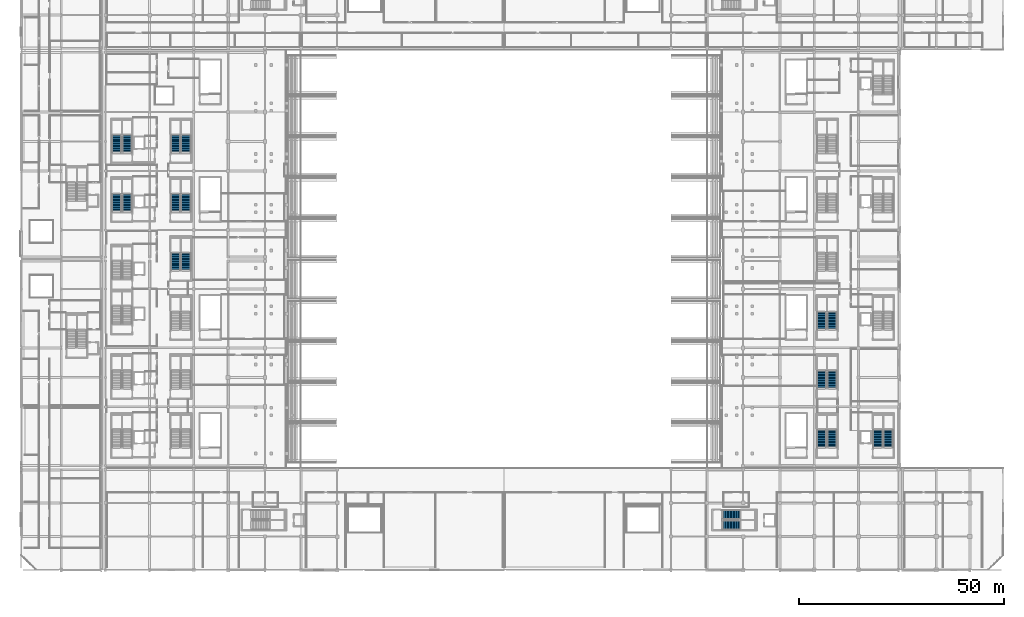
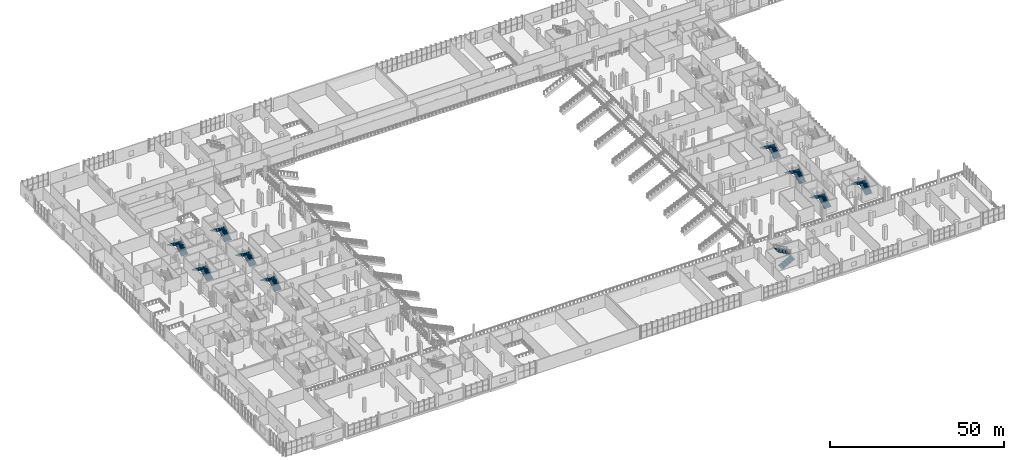
# One storey, part 90 of 129: 20 stair flights, 10 elements without a shape of their own.
"""IFC4 building model written with IfcOpenShell, lengths in metres."""

from ifc_helpers import new_model, si_unit, direction, frame, origin, place, context, subcontext, project, spatial, polyline, outline, extrude, material, type_object, element, aggregate, save


model = new_model("IFC4")

# Units and contexts
model_context = context("Model", 3, precision=1e-05, world=origin(), true_north=direction((0.0, 1.0)))
body_context = subcontext(model_context, "Body", "Model", "MODEL_VIEW")
ifc_project = project(units=[si_unit("LENGTHUNIT", "METRE"), si_unit("AREAUNIT", "SQUARE_METRE"), si_unit("VOLUMEUNIT", "CUBIC_METRE"), si_unit("PLANEANGLEUNIT", "RADIAN"), si_unit("MASSUNIT", "GRAM", prefix="KILO")], contexts=[model_context])

# Site, building, storey
site_placement = place(None, origin())
site = spatial("IfcSite", under=ifc_project, at=site_placement, CompositionType="ELEMENT")
building_placement = place(site_placement, origin())
building = spatial("IfcBuilding", under=site, at=building_placement, Name="Koshinbarg Plaza Stadium", CompositionType="ELEMENT")
storey_placement = place(building_placement, frame((0.0, 0.0, 5.39990234375)))
storey = spatial("IfcBuildingStorey", under=building, at=storey_placement, Name="L01", CompositionType="ELEMENT", Elevation=5.39990234375)

# Stair, stair flights
ifc_material = material(Name="Concrete C35/45", Category="concrete")
stair_type_1 = type_object("IfcStairType", Name="ST-CORE-48", PredefinedType="HALF_TURN_STAIR", material=ifc_material)
stair_1_placement = place(storey_placement, origin())
stair_1 = element("IfcStair", 1, at=stair_1_placement, inside=storey, type_object=stair_type_1, Name="L01 Protected Exit Stair C05", PredefinedType="HALF_TURN_STAIR")
stair_flight_type = type_object("IfcStairFlightType", Name="SFL-CORE-48", PredefinedType="STRAIGHT", material=ifc_material)
stair_flight_1_placement = place(storey_placement, frame((29.889892578125, 87.56005859375, 0.0), z_axis=(0.0, 0.0, 1.0), x_axis=(0.0, 1.0, 0.0)))
stair_flight_1 = element("IfcStairFlight", 2, at=stair_flight_1_placement, type_object=stair_flight_type, Name="L01 Protected Exit Stair C05 flight 051", NumberOfRisers=15, NumberOfTreads=14, PredefinedType="STRAIGHT", RiserHeight=0.16, TreadLength=0.3, context=body_context, shape_type="SweptSolid", body=[
    extrude(outline(polyline([(0.0, 0.0), (0.0, 0.159912109375), (0.300048828125, 0.159912109375), (0.300048828125, 0.320068359375), (0.60009765625, 0.320068359375), (0.60009765625, 0.47998046875), (0.89990234375, 0.47998046875), (0.89990234375, 0.639892578125), (1.199951171875, 0.639892578125), (1.199951171875, 0.800048828125), (1.5, 0.800048828125), (1.5, 0.9599609375), (1.800048828125, 0.9599609375), (1.800048828125, 1.1201171875), (2.10009765625, 1.1201171875), (2.10009765625, 1.280029296875), (2.39990234375, 1.280029296875), (2.39990234375, 1.43994140625), (2.699951171875, 1.43994140625), (2.699951171875, 1.60009765625), (3.0, 1.60009765625), (3.0, 1.760009765625), (3.300048828125, 1.760009765625), (3.300048828125, 1.919921875), (3.60009765625, 1.919921875), (3.60009765625, 2.080078125), (3.89990234375, 2.080078125), (3.89990234375, 2.239990234375), (4.199951171875, 2.239990234375), (4.199951171875, 2.39990234375), (4.199951171875, 2.070068359375), (0.318603515625, 0.0), (0.0, 0.0)])), frame((0.0, 1.18017578125, 0.0), z_axis=(0.0, -1.0, 0.0), x_axis=(1.0, 0.0, 0.0)), (0.0, 0.0, 1.0), 2.360107421875),
])
stair_flight_2_placement = place(storey_placement, frame((27.3798828125, 91.760009765625, 2.400146484375), z_axis=(0.0, 0.0, 1.0), x_axis=(0.0, -1.0, 0.0)))
stair_flight_2 = element("IfcStairFlight", 3, at=stair_flight_2_placement, type_object=stair_flight_type, Name="L01 Protected Exit Stair C05 flight 052", NumberOfRisers=15, NumberOfTreads=14, PredefinedType="STRAIGHT", RiserHeight=0.16, TreadLength=0.3, context=body_context, shape_type="SweptSolid", body=[
    extrude(outline(polyline([(0.0, 0.0), (0.0, 0.159912109375), (0.300048828125, 0.159912109375), (0.300048828125, 0.320068359375), (0.60009765625, 0.320068359375), (0.60009765625, 0.47998046875), (0.89990234375, 0.47998046875), (0.89990234375, 0.639892578125), (1.199951171875, 0.639892578125), (1.199951171875, 0.800048828125), (1.5, 0.800048828125), (1.5, 0.9599609375), (1.800048828125, 0.9599609375), (1.800048828125, 1.1201171875), (2.10009765625, 1.1201171875), (2.10009765625, 1.280029296875), (2.39990234375, 1.280029296875), (2.39990234375, 1.43994140625), (2.699951171875, 1.43994140625), (2.699951171875, 1.60009765625), (3.0, 1.60009765625), (3.0, 1.760009765625), (3.300048828125, 1.760009765625), (3.300048828125, 1.919921875), (3.60009765625, 1.919921875), (3.60009765625, 2.080078125), (3.89990234375, 2.080078125), (3.89990234375, 2.239990234375), (4.199951171875, 2.239990234375), (4.199951171875, 2.39990234375), (4.199951171875, 2.070068359375), (0.318603515625, 0.0), (0.0, 0.0)])), frame((0.0, 1.18017578125, 0.0), z_axis=(0.0, -1.0, 0.0), x_axis=(1.0, 0.0, 0.0)), (0.0, 0.0, 1.0), 2.360107421875),
])
aggregate(stair_1, [stair_flight_1, stair_flight_2])

stair_2_placement = place(storey_placement, origin())
stair_2 = element("IfcStair", 4, at=stair_2_placement, inside=storey, type_object=stair_type_1, Name="L01 Protected Exit Stair C06", PredefinedType="HALF_TURN_STAIR")
stair_flight_3_placement = place(storey_placement, frame((29.889892578125, 101.9599609375, 0.0), z_axis=(0.0, 0.0, 1.0), x_axis=(0.0, 1.0, 0.0)))
stair_flight_3 = element("IfcStairFlight", 5, at=stair_flight_3_placement, type_object=stair_flight_type, Name="L01 Protected Exit Stair C06 flight 063", NumberOfRisers=15, NumberOfTreads=14, PredefinedType="STRAIGHT", RiserHeight=0.16, TreadLength=0.3, context=body_context, shape_type="SweptSolid", body=[
    extrude(outline(polyline([(0.0, 0.0), (0.0, 0.159912109375), (0.300048828125, 0.159912109375), (0.300048828125, 0.320068359375), (0.60009765625, 0.320068359375), (0.60009765625, 0.47998046875), (0.89990234375, 0.47998046875), (0.89990234375, 0.639892578125), (1.199951171875, 0.639892578125), (1.199951171875, 0.800048828125), (1.5, 0.800048828125), (1.5, 0.9599609375), (1.800048828125, 0.9599609375), (1.800048828125, 1.1201171875), (2.10009765625, 1.1201171875), (2.10009765625, 1.280029296875), (2.39990234375, 1.280029296875), (2.39990234375, 1.43994140625), (2.699951171875, 1.43994140625), (2.699951171875, 1.60009765625), (3.0, 1.60009765625), (3.0, 1.760009765625), (3.300048828125, 1.760009765625), (3.300048828125, 1.919921875), (3.60009765625, 1.919921875), (3.60009765625, 2.080078125), (3.89990234375, 2.080078125), (3.89990234375, 2.239990234375), (4.199951171875, 2.239990234375), (4.199951171875, 2.39990234375), (4.199951171875, 2.070068359375), (0.318603515625, 0.0), (0.0, 0.0)])), frame((0.0, 1.18017578125, 0.0), z_axis=(0.0, -1.0, 0.0), x_axis=(1.0, 0.0, 0.0)), (0.0, 0.0, 1.0), 2.360107421875),
])
stair_flight_4_placement = place(storey_placement, frame((27.3798828125, 106.159912109375, 2.400146484375), z_axis=(0.0, 0.0, 1.0), x_axis=(0.0, -1.0, 0.0)))
stair_flight_4 = element("IfcStairFlight", 6, at=stair_flight_4_placement, type_object=stair_flight_type, Name="L01 Protected Exit Stair C06 flight 064", NumberOfRisers=15, NumberOfTreads=14, PredefinedType="STRAIGHT", RiserHeight=0.16, TreadLength=0.3, context=body_context, shape_type="SweptSolid", body=[
    extrude(outline(polyline([(0.0, 0.0), (0.0, 0.159912109375), (0.300048828125, 0.159912109375), (0.300048828125, 0.320068359375), (0.60009765625, 0.320068359375), (0.60009765625, 0.47998046875), (0.89990234375, 0.47998046875), (0.89990234375, 0.639892578125), (1.199951171875, 0.639892578125), (1.199951171875, 0.800048828125), (1.5, 0.800048828125), (1.5, 0.9599609375), (1.800048828125, 0.9599609375), (1.800048828125, 1.1201171875), (2.10009765625, 1.1201171875), (2.10009765625, 1.280029296875), (2.39990234375, 1.280029296875), (2.39990234375, 1.43994140625), (2.699951171875, 1.43994140625), (2.699951171875, 1.60009765625), (3.0, 1.60009765625), (3.0, 1.760009765625), (3.300048828125, 1.760009765625), (3.300048828125, 1.919921875), (3.60009765625, 1.919921875), (3.60009765625, 2.080078125), (3.89990234375, 2.080078125), (3.89990234375, 2.239990234375), (4.199951171875, 2.239990234375), (4.199951171875, 2.39990234375), (4.199951171875, 2.070068359375), (0.318603515625, 0.0), (0.0, 0.0)])), frame((0.0, 1.18017578125, 0.0), z_axis=(0.0, -1.0, 0.0), x_axis=(1.0, 0.0, 0.0)), (0.0, 0.0, 1.0), 2.360107421875),
])
aggregate(stair_2, [stair_flight_3, stair_flight_4])

stair_3_placement = place(storey_placement, origin())
stair_3 = element("IfcStair", 7, at=stair_3_placement, inside=storey, type_object=stair_type_1, Name="L01 Protected Exit Stair C07", PredefinedType="HALF_TURN_STAIR")
stair_flight_5_placement = place(storey_placement, frame((215.889892578125, 29.9599609375, 0.0), z_axis=(0.0, 0.0, 1.0), x_axis=(0.0, 1.0, 0.0)))
stair_flight_5 = element("IfcStairFlight", 8, at=stair_flight_5_placement, type_object=stair_flight_type, Name="L01 Protected Exit Stair C07 flight 075", NumberOfRisers=15, NumberOfTreads=14, PredefinedType="STRAIGHT", RiserHeight=0.16, TreadLength=0.3, context=body_context, shape_type="SweptSolid", body=[
    extrude(outline(polyline([(0.0, 0.0), (0.0, 0.159912109375), (0.300048828125, 0.159912109375), (0.300048828125, 0.320068359375), (0.60009765625, 0.320068359375), (0.60009765625, 0.47998046875), (0.89990234375, 0.47998046875), (0.89990234375, 0.639892578125), (1.199951171875, 0.639892578125), (1.199951171875, 0.800048828125), (1.5, 0.800048828125), (1.5, 0.9599609375), (1.800048828125, 0.9599609375), (1.800048828125, 1.1201171875), (2.10009765625, 1.1201171875), (2.10009765625, 1.280029296875), (2.39990234375, 1.280029296875), (2.39990234375, 1.43994140625), (2.699951171875, 1.43994140625), (2.699951171875, 1.60009765625), (3.0, 1.60009765625), (3.0, 1.760009765625), (3.300048828125, 1.760009765625), (3.300048828125, 1.919921875), (3.60009765625, 1.919921875), (3.60009765625, 2.080078125), (3.89990234375, 2.080078125), (3.89990234375, 2.239990234375), (4.199951171875, 2.239990234375), (4.199951171875, 2.39990234375), (4.199951171875, 2.070068359375), (0.318603515625, 0.0), (0.0, 0.0)])), frame((0.0, 1.18017578125, 0.0), z_axis=(0.0, -1.0, 0.0), x_axis=(1.0, 0.0, 0.0)), (0.0, 0.0, 1.0), 2.360107421875),
])
stair_flight_6_placement = place(storey_placement, frame((213.3798828125, 34.159912109375, 2.400146484375), z_axis=(0.0, 0.0, 1.0), x_axis=(0.0, -1.0, 0.0)))
stair_flight_6 = element("IfcStairFlight", 9, at=stair_flight_6_placement, type_object=stair_flight_type, Name="L01 Protected Exit Stair C07 flight 076", NumberOfRisers=15, NumberOfTreads=14, PredefinedType="STRAIGHT", RiserHeight=0.16, TreadLength=0.3, context=body_context, shape_type="SweptSolid", body=[
    extrude(outline(polyline([(0.0, 0.0), (0.0, 0.159912109375), (0.300048828125, 0.159912109375), (0.300048828125, 0.320068359375), (0.60009765625, 0.320068359375), (0.60009765625, 0.47998046875), (0.89990234375, 0.47998046875), (0.89990234375, 0.639892578125), (1.199951171875, 0.639892578125), (1.199951171875, 0.800048828125), (1.5, 0.800048828125), (1.5, 0.9599609375), (1.800048828125, 0.9599609375), (1.800048828125, 1.1201171875), (2.10009765625, 1.1201171875), (2.10009765625, 1.280029296875), (2.39990234375, 1.280029296875), (2.39990234375, 1.43994140625), (2.699951171875, 1.43994140625), (2.699951171875, 1.60009765625), (3.0, 1.60009765625), (3.0, 1.760009765625), (3.300048828125, 1.760009765625), (3.300048828125, 1.919921875), (3.60009765625, 1.919921875), (3.60009765625, 2.080078125), (3.89990234375, 2.080078125), (3.89990234375, 2.239990234375), (4.199951171875, 2.239990234375), (4.199951171875, 2.39990234375), (4.199951171875, 2.070068359375), (0.318603515625, 0.0), (0.0, 0.0)])), frame((0.0, 1.18017578125, 0.0), z_axis=(0.0, -1.0, 0.0), x_axis=(1.0, 0.0, 0.0)), (0.0, 0.0, 1.0), 2.360107421875),
])
aggregate(stair_3, [stair_flight_5, stair_flight_6])

stair_4_placement = place(storey_placement, origin())
stair_4 = element("IfcStair", 10, at=stair_4_placement, inside=storey, type_object=stair_type_1, Name="L01 Protected Exit Stair C14", PredefinedType="HALF_TURN_STAIR")
stair_flight_7_placement = place(storey_placement, frame((175.360107421875, 10.97998046875, 0.0), z_axis=(0.0, 0.0, 1.0), x_axis=(1.0, 0.0, 0.0)))
stair_flight_7 = element("IfcStairFlight", 11, at=stair_flight_7_placement, type_object=stair_flight_type, Name="L01 Protected Exit Stair C14 flight 135", NumberOfRisers=15, NumberOfTreads=14, PredefinedType="STRAIGHT", RiserHeight=0.16, TreadLength=0.3, context=body_context, shape_type="SweptSolid", body=[
    extrude(outline(polyline([(0.0, 0.0), (0.0, 0.159912109375), (0.300048828125, 0.159912109375), (0.300048828125, 0.320068359375), (0.60009765625, 0.320068359375), (0.60009765625, 0.47998046875), (0.89990234375, 0.47998046875), (0.89990234375, 0.639892578125), (1.199951171875, 0.639892578125), (1.199951171875, 0.800048828125), (1.5, 0.800048828125), (1.5, 0.9599609375), (1.800048828125, 0.9599609375), (1.800048828125, 1.1201171875), (2.10009765625, 1.1201171875), (2.10009765625, 1.280029296875), (2.39990234375, 1.280029296875), (2.39990234375, 1.43994140625), (2.699951171875, 1.43994140625), (2.699951171875, 1.60009765625), (3.0, 1.60009765625), (3.0, 1.760009765625), (3.300048828125, 1.760009765625), (3.300048828125, 1.919921875), (3.60009765625, 1.919921875), (3.60009765625, 2.080078125), (3.89990234375, 2.080078125), (3.89990234375, 2.239990234375), (4.199951171875, 2.239990234375), (4.199951171875, 2.39990234375), (4.199951171875, 2.070068359375), (0.318603515625, 0.0), (0.0, 0.0)])), frame((0.0, 1.18017578125, 0.0), z_axis=(0.0, -1.0, 0.0), x_axis=(1.0, 0.0, 0.0)), (0.0, 0.0, 1.0), 2.360107421875),
])
stair_flight_8_placement = place(storey_placement, frame((179.56005859375, 13.489990234375, 2.400146484375), z_axis=(0.0, 0.0, 1.0), x_axis=(-1.0, 0.0, 0.0)))
stair_flight_8 = element("IfcStairFlight", 12, at=stair_flight_8_placement, type_object=stair_flight_type, Name="L01 Protected Exit Stair C14 flight 136", NumberOfRisers=15, NumberOfTreads=14, PredefinedType="STRAIGHT", RiserHeight=0.16, TreadLength=0.3, context=body_context, shape_type="SweptSolid", body=[
    extrude(outline(polyline([(0.0, 0.0), (0.0, 0.159912109375), (0.300048828125, 0.159912109375), (0.300048828125, 0.320068359375), (0.60009765625, 0.320068359375), (0.60009765625, 0.47998046875), (0.89990234375, 0.47998046875), (0.89990234375, 0.639892578125), (1.199951171875, 0.639892578125), (1.199951171875, 0.800048828125), (1.5, 0.800048828125), (1.5, 0.9599609375), (1.800048828125, 0.9599609375), (1.800048828125, 1.1201171875), (2.10009765625, 1.1201171875), (2.10009765625, 1.280029296875), (2.39990234375, 1.280029296875), (2.39990234375, 1.43994140625), (2.699951171875, 1.43994140625), (2.699951171875, 1.60009765625), (3.0, 1.60009765625), (3.0, 1.760009765625), (3.300048828125, 1.760009765625), (3.300048828125, 1.919921875), (3.60009765625, 1.919921875), (3.60009765625, 2.080078125), (3.89990234375, 2.080078125), (3.89990234375, 2.239990234375), (4.199951171875, 2.239990234375), (4.199951171875, 2.39990234375), (4.199951171875, 2.070068359375), (0.318603515625, 0.0), (0.0, 0.0)])), frame((0.0, 1.18017578125, 0.0), z_axis=(0.0, -1.0, 0.0), x_axis=(1.0, 0.0, 0.0)), (0.0, 0.0, 1.0), 2.360107421875),
])
aggregate(stair_4, [stair_flight_7, stair_flight_8])

stair_type_2 = type_object("IfcStairType", Name="ST-VOM-48", PredefinedType="HALF_TURN_STAIR", material=ifc_material)
stair_5_placement = place(storey_placement, origin())
stair_5 = element("IfcStair", 13, at=stair_5_placement, inside=storey, type_object=stair_type_2, Name="L01 Upper Vomitory Stair VX04", PredefinedType="HALF_TURN_STAIR")
stair_flight_9_placement = place(storey_placement, frame((44.2900390625, 73.159912109375, 0.0), z_axis=(0.0, 0.0, 1.0), x_axis=(0.0, 1.0, 0.0)))
stair_flight_9 = element("IfcStairFlight", 14, at=stair_flight_9_placement, type_object=stair_flight_type, Name="L01 Upper Vomitory Stair VX04 flight 169", NumberOfRisers=15, NumberOfTreads=14, PredefinedType="STRAIGHT", RiserHeight=0.16, TreadLength=0.3, context=body_context, shape_type="SweptSolid", body=[
    extrude(outline(polyline([(0.0, 0.0), (0.0, 0.159912109375), (0.300048828125, 0.159912109375), (0.300048828125, 0.320068359375), (0.60009765625, 0.320068359375), (0.60009765625, 0.47998046875), (0.89990234375, 0.47998046875), (0.89990234375, 0.639892578125), (1.199951171875, 0.639892578125), (1.199951171875, 0.800048828125), (1.5, 0.800048828125), (1.5, 0.9599609375), (1.800048828125, 0.9599609375), (1.800048828125, 1.1201171875), (2.10009765625, 1.1201171875), (2.10009765625, 1.280029296875), (2.39990234375, 1.280029296875), (2.39990234375, 1.43994140625), (2.699951171875, 1.43994140625), (2.699951171875, 1.60009765625), (3.0, 1.60009765625), (3.0, 1.760009765625), (3.300048828125, 1.760009765625), (3.300048828125, 1.919921875), (3.60009765625, 1.919921875), (3.60009765625, 2.080078125), (3.89990234375, 2.080078125), (3.89990234375, 2.239990234375), (4.199951171875, 2.239990234375), (4.199951171875, 2.39990234375), (4.199951171875, 2.070068359375), (0.318603515625, 0.0), (0.0, 0.0)])), frame((0.0, 1.18017578125, 0.0), z_axis=(0.0, -1.0, 0.0), x_axis=(1.0, 0.0, 0.0)), (0.0, 0.0, 1.0), 2.360107421875),
])
stair_flight_10_placement = place(storey_placement, frame((41.780029296875, 77.360107421875, 2.400146484375), z_axis=(0.0, 0.0, 1.0), x_axis=(0.0, -1.0, 0.0)))
stair_flight_10 = element("IfcStairFlight", 15, at=stair_flight_10_placement, type_object=stair_flight_type, Name="L01 Upper Vomitory Stair VX04 flight 170", NumberOfRisers=15, NumberOfTreads=14, PredefinedType="STRAIGHT", RiserHeight=0.16, TreadLength=0.3, context=body_context, shape_type="SweptSolid", body=[
    extrude(outline(polyline([(0.0, 0.0), (0.0, 0.159912109375), (0.300048828125, 0.159912109375), (0.300048828125, 0.320068359375), (0.60009765625, 0.320068359375), (0.60009765625, 0.47998046875), (0.89990234375, 0.47998046875), (0.89990234375, 0.639892578125), (1.199951171875, 0.639892578125), (1.199951171875, 0.800048828125), (1.5, 0.800048828125), (1.5, 0.9599609375), (1.800048828125, 0.9599609375), (1.800048828125, 1.1201171875), (2.10009765625, 1.1201171875), (2.10009765625, 1.280029296875), (2.39990234375, 1.280029296875), (2.39990234375, 1.43994140625), (2.699951171875, 1.43994140625), (2.699951171875, 1.60009765625), (3.0, 1.60009765625), (3.0, 1.760009765625), (3.300048828125, 1.760009765625), (3.300048828125, 1.919921875), (3.60009765625, 1.919921875), (3.60009765625, 2.080078125), (3.89990234375, 2.080078125), (3.89990234375, 2.239990234375), (4.199951171875, 2.239990234375), (4.199951171875, 2.39990234375), (4.199951171875, 2.070068359375), (0.318603515625, 0.0), (0.0, 0.0)])), frame((0.0, 1.18017578125, 0.0), z_axis=(0.0, -1.0, 0.0), x_axis=(1.0, 0.0, 0.0)), (0.0, 0.0, 1.0), 2.360107421875),
])
aggregate(stair_5, [stair_flight_9, stair_flight_10])

stair_6_placement = place(storey_placement, origin())
stair_6 = element("IfcStair", 16, at=stair_6_placement, inside=storey, type_object=stair_type_2, Name="L01 Upper Vomitory Stair VX05", PredefinedType="HALF_TURN_STAIR")
stair_flight_11_placement = place(storey_placement, frame((44.2900390625, 87.56005859375, 0.0), z_axis=(0.0, 0.0, 1.0), x_axis=(0.0, 1.0, 0.0)))
stair_flight_11 = element("IfcStairFlight", 17, at=stair_flight_11_placement, type_object=stair_flight_type, Name="L01 Upper Vomitory Stair VX05 flight 175", NumberOfRisers=15, NumberOfTreads=14, PredefinedType="STRAIGHT", RiserHeight=0.16, TreadLength=0.3, context=body_context, shape_type="SweptSolid", body=[
    extrude(outline(polyline([(0.0, 0.0), (0.0, 0.159912109375), (0.300048828125, 0.159912109375), (0.300048828125, 0.320068359375), (0.60009765625, 0.320068359375), (0.60009765625, 0.47998046875), (0.89990234375, 0.47998046875), (0.89990234375, 0.639892578125), (1.199951171875, 0.639892578125), (1.199951171875, 0.800048828125), (1.5, 0.800048828125), (1.5, 0.9599609375), (1.800048828125, 0.9599609375), (1.800048828125, 1.1201171875), (2.10009765625, 1.1201171875), (2.10009765625, 1.280029296875), (2.39990234375, 1.280029296875), (2.39990234375, 1.43994140625), (2.699951171875, 1.43994140625), (2.699951171875, 1.60009765625), (3.0, 1.60009765625), (3.0, 1.760009765625), (3.300048828125, 1.760009765625), (3.300048828125, 1.919921875), (3.60009765625, 1.919921875), (3.60009765625, 2.080078125), (3.89990234375, 2.080078125), (3.89990234375, 2.239990234375), (4.199951171875, 2.239990234375), (4.199951171875, 2.39990234375), (4.199951171875, 2.070068359375), (0.318603515625, 0.0), (0.0, 0.0)])), frame((0.0, 1.18017578125, 0.0), z_axis=(0.0, -1.0, 0.0), x_axis=(1.0, 0.0, 0.0)), (0.0, 0.0, 1.0), 2.360107421875),
])
stair_flight_12_placement = place(storey_placement, frame((41.780029296875, 91.760009765625, 2.400146484375), z_axis=(0.0, 0.0, 1.0), x_axis=(0.0, -1.0, 0.0)))
stair_flight_12 = element("IfcStairFlight", 18, at=stair_flight_12_placement, type_object=stair_flight_type, Name="L01 Upper Vomitory Stair VX05 flight 176", NumberOfRisers=15, NumberOfTreads=14, PredefinedType="STRAIGHT", RiserHeight=0.16, TreadLength=0.3, context=body_context, shape_type="SweptSolid", body=[
    extrude(outline(polyline([(0.0, 0.0), (0.0, 0.159912109375), (0.300048828125, 0.159912109375), (0.300048828125, 0.320068359375), (0.60009765625, 0.320068359375), (0.60009765625, 0.47998046875), (0.89990234375, 0.47998046875), (0.89990234375, 0.639892578125), (1.199951171875, 0.639892578125), (1.199951171875, 0.800048828125), (1.5, 0.800048828125), (1.5, 0.9599609375), (1.800048828125, 0.9599609375), (1.800048828125, 1.1201171875), (2.10009765625, 1.1201171875), (2.10009765625, 1.280029296875), (2.39990234375, 1.280029296875), (2.39990234375, 1.43994140625), (2.699951171875, 1.43994140625), (2.699951171875, 1.60009765625), (3.0, 1.60009765625), (3.0, 1.760009765625), (3.300048828125, 1.760009765625), (3.300048828125, 1.919921875), (3.60009765625, 1.919921875), (3.60009765625, 2.080078125), (3.89990234375, 2.080078125), (3.89990234375, 2.239990234375), (4.199951171875, 2.239990234375), (4.199951171875, 2.39990234375), (4.199951171875, 2.070068359375), (0.318603515625, 0.0), (0.0, 0.0)])), frame((0.0, 1.18017578125, 0.0), z_axis=(0.0, -1.0, 0.0), x_axis=(1.0, 0.0, 0.0)), (0.0, 0.0, 1.0), 2.360107421875),
])
aggregate(stair_6, [stair_flight_11, stair_flight_12])

stair_7_placement = place(storey_placement, origin())
stair_7 = element("IfcStair", 19, at=stair_7_placement, inside=storey, type_object=stair_type_2, Name="L01 Upper Vomitory Stair VX06", PredefinedType="HALF_TURN_STAIR")
stair_flight_13_placement = place(storey_placement, frame((44.2900390625, 101.9599609375, 0.0), z_axis=(0.0, 0.0, 1.0), x_axis=(0.0, 1.0, 0.0)))
stair_flight_13 = element("IfcStairFlight", 20, at=stair_flight_13_placement, type_object=stair_flight_type, Name="L01 Upper Vomitory Stair VX06 flight 181", NumberOfRisers=15, NumberOfTreads=14, PredefinedType="STRAIGHT", RiserHeight=0.16, TreadLength=0.3, context=body_context, shape_type="SweptSolid", body=[
    extrude(outline(polyline([(0.0, 0.0), (0.0, 0.159912109375), (0.300048828125, 0.159912109375), (0.300048828125, 0.320068359375), (0.60009765625, 0.320068359375), (0.60009765625, 0.47998046875), (0.89990234375, 0.47998046875), (0.89990234375, 0.639892578125), (1.199951171875, 0.639892578125), (1.199951171875, 0.800048828125), (1.5, 0.800048828125), (1.5, 0.9599609375), (1.800048828125, 0.9599609375), (1.800048828125, 1.1201171875), (2.10009765625, 1.1201171875), (2.10009765625, 1.280029296875), (2.39990234375, 1.280029296875), (2.39990234375, 1.43994140625), (2.699951171875, 1.43994140625), (2.699951171875, 1.60009765625), (3.0, 1.60009765625), (3.0, 1.760009765625), (3.300048828125, 1.760009765625), (3.300048828125, 1.919921875), (3.60009765625, 1.919921875), (3.60009765625, 2.080078125), (3.89990234375, 2.080078125), (3.89990234375, 2.239990234375), (4.199951171875, 2.239990234375), (4.199951171875, 2.39990234375), (4.199951171875, 2.070068359375), (0.318603515625, 0.0), (0.0, 0.0)])), frame((0.0, 1.18017578125, 0.0), z_axis=(0.0, -1.0, 0.0), x_axis=(1.0, 0.0, 0.0)), (0.0, 0.0, 1.0), 2.360107421875),
])
stair_flight_14_placement = place(storey_placement, frame((41.780029296875, 106.159912109375, 2.400146484375), z_axis=(0.0, 0.0, 1.0), x_axis=(0.0, -1.0, 0.0)))
stair_flight_14 = element("IfcStairFlight", 21, at=stair_flight_14_placement, type_object=stair_flight_type, Name="L01 Upper Vomitory Stair VX06 flight 182", NumberOfRisers=15, NumberOfTreads=14, PredefinedType="STRAIGHT", RiserHeight=0.16, TreadLength=0.3, context=body_context, shape_type="SweptSolid", body=[
    extrude(outline(polyline([(0.0, 0.0), (0.0, 0.159912109375), (0.300048828125, 0.159912109375), (0.300048828125, 0.320068359375), (0.60009765625, 0.320068359375), (0.60009765625, 0.47998046875), (0.89990234375, 0.47998046875), (0.89990234375, 0.639892578125), (1.199951171875, 0.639892578125), (1.199951171875, 0.800048828125), (1.5, 0.800048828125), (1.5, 0.9599609375), (1.800048828125, 0.9599609375), (1.800048828125, 1.1201171875), (2.10009765625, 1.1201171875), (2.10009765625, 1.280029296875), (2.39990234375, 1.280029296875), (2.39990234375, 1.43994140625), (2.699951171875, 1.43994140625), (2.699951171875, 1.60009765625), (3.0, 1.60009765625), (3.0, 1.760009765625), (3.300048828125, 1.760009765625), (3.300048828125, 1.919921875), (3.60009765625, 1.919921875), (3.60009765625, 2.080078125), (3.89990234375, 2.080078125), (3.89990234375, 2.239990234375), (4.199951171875, 2.239990234375), (4.199951171875, 2.39990234375), (4.199951171875, 2.070068359375), (0.318603515625, 0.0), (0.0, 0.0)])), frame((0.0, 1.18017578125, 0.0), z_axis=(0.0, -1.0, 0.0), x_axis=(1.0, 0.0, 0.0)), (0.0, 0.0, 1.0), 2.360107421875),
])
aggregate(stair_7, [stair_flight_13, stair_flight_14])

stair_8_placement = place(storey_placement, origin())
stair_8 = element("IfcStair", 22, at=stair_8_placement, inside=storey, type_object=stair_type_2, Name="L01 Upper Vomitory Stair VX07", PredefinedType="HALF_TURN_STAIR")
stair_flight_15_placement = place(storey_placement, frame((202.18994140625, 29.9599609375, 0.0), z_axis=(0.0, 0.0, 1.0), x_axis=(0.0, 1.0, 0.0)))
stair_flight_15 = element("IfcStairFlight", 23, at=stair_flight_15_placement, type_object=stair_flight_type, Name="L01 Upper Vomitory Stair VX07 flight 187", NumberOfRisers=15, NumberOfTreads=14, PredefinedType="STRAIGHT", RiserHeight=0.16, TreadLength=0.3, context=body_context, shape_type="SweptSolid", body=[
    extrude(outline(polyline([(0.0, 0.0), (0.0, 0.159912109375), (0.300048828125, 0.159912109375), (0.300048828125, 0.320068359375), (0.60009765625, 0.320068359375), (0.60009765625, 0.47998046875), (0.89990234375, 0.47998046875), (0.89990234375, 0.639892578125), (1.199951171875, 0.639892578125), (1.199951171875, 0.800048828125), (1.5, 0.800048828125), (1.5, 0.9599609375), (1.800048828125, 0.9599609375), (1.800048828125, 1.1201171875), (2.10009765625, 1.1201171875), (2.10009765625, 1.280029296875), (2.39990234375, 1.280029296875), (2.39990234375, 1.43994140625), (2.699951171875, 1.43994140625), (2.699951171875, 1.60009765625), (3.0, 1.60009765625), (3.0, 1.760009765625), (3.300048828125, 1.760009765625), (3.300048828125, 1.919921875), (3.60009765625, 1.919921875), (3.60009765625, 2.080078125), (3.89990234375, 2.080078125), (3.89990234375, 2.239990234375), (4.199951171875, 2.239990234375), (4.199951171875, 2.39990234375), (4.199951171875, 2.070068359375), (0.318603515625, 0.0), (0.0, 0.0)])), frame((0.0, 1.18017578125, 0.0), z_axis=(0.0, -1.0, 0.0), x_axis=(1.0, 0.0, 0.0)), (0.0, 0.0, 1.0), 2.360107421875),
])
stair_flight_16_placement = place(storey_placement, frame((199.679931640625, 34.159912109375, 2.400146484375), z_axis=(0.0, 0.0, 1.0), x_axis=(0.0, -1.0, 0.0)))
stair_flight_16 = element("IfcStairFlight", 24, at=stair_flight_16_placement, type_object=stair_flight_type, Name="L01 Upper Vomitory Stair VX07 flight 188", NumberOfRisers=15, NumberOfTreads=14, PredefinedType="STRAIGHT", RiserHeight=0.16, TreadLength=0.3, context=body_context, shape_type="SweptSolid", body=[
    extrude(outline(polyline([(0.0, 0.0), (0.0, 0.159912109375), (0.300048828125, 0.159912109375), (0.300048828125, 0.320068359375), (0.60009765625, 0.320068359375), (0.60009765625, 0.47998046875), (0.89990234375, 0.47998046875), (0.89990234375, 0.639892578125), (1.199951171875, 0.639892578125), (1.199951171875, 0.800048828125), (1.5, 0.800048828125), (1.5, 0.9599609375), (1.800048828125, 0.9599609375), (1.800048828125, 1.1201171875), (2.10009765625, 1.1201171875), (2.10009765625, 1.280029296875), (2.39990234375, 1.280029296875), (2.39990234375, 1.43994140625), (2.699951171875, 1.43994140625), (2.699951171875, 1.60009765625), (3.0, 1.60009765625), (3.0, 1.760009765625), (3.300048828125, 1.760009765625), (3.300048828125, 1.919921875), (3.60009765625, 1.919921875), (3.60009765625, 2.080078125), (3.89990234375, 2.080078125), (3.89990234375, 2.239990234375), (4.199951171875, 2.239990234375), (4.199951171875, 2.39990234375), (4.199951171875, 2.070068359375), (0.318603515625, 0.0), (0.0, 0.0)])), frame((0.0, 1.18017578125, 0.0), z_axis=(0.0, -1.0, 0.0), x_axis=(1.0, 0.0, 0.0)), (0.0, 0.0, 1.0), 2.360107421875),
])
aggregate(stair_8, [stair_flight_15, stair_flight_16])

stair_9_placement = place(storey_placement, origin())
stair_9 = element("IfcStair", 25, at=stair_9_placement, inside=storey, type_object=stair_type_2, Name="L01 Upper Vomitory Stair VX08", PredefinedType="HALF_TURN_STAIR")
stair_flight_17_placement = place(storey_placement, frame((202.18994140625, 44.360107421875, 0.0), z_axis=(0.0, 0.0, 1.0), x_axis=(0.0, 1.0, 0.0)))
stair_flight_17 = element("IfcStairFlight", 26, at=stair_flight_17_placement, type_object=stair_flight_type, Name="L01 Upper Vomitory Stair VX08 flight 193", NumberOfRisers=15, NumberOfTreads=14, PredefinedType="STRAIGHT", RiserHeight=0.16, TreadLength=0.3, context=body_context, shape_type="SweptSolid", body=[
    extrude(outline(polyline([(0.0, 0.0), (0.0, 0.159912109375), (0.300048828125, 0.159912109375), (0.300048828125, 0.320068359375), (0.60009765625, 0.320068359375), (0.60009765625, 0.47998046875), (0.89990234375, 0.47998046875), (0.89990234375, 0.639892578125), (1.199951171875, 0.639892578125), (1.199951171875, 0.800048828125), (1.5, 0.800048828125), (1.5, 0.9599609375), (1.800048828125, 0.9599609375), (1.800048828125, 1.1201171875), (2.10009765625, 1.1201171875), (2.10009765625, 1.280029296875), (2.39990234375, 1.280029296875), (2.39990234375, 1.43994140625), (2.699951171875, 1.43994140625), (2.699951171875, 1.60009765625), (3.0, 1.60009765625), (3.0, 1.760009765625), (3.300048828125, 1.760009765625), (3.300048828125, 1.919921875), (3.60009765625, 1.919921875), (3.60009765625, 2.080078125), (3.89990234375, 2.080078125), (3.89990234375, 2.239990234375), (4.199951171875, 2.239990234375), (4.199951171875, 2.39990234375), (4.199951171875, 2.070068359375), (0.318603515625, 0.0), (0.0, 0.0)])), frame((0.0, 1.18017578125, 0.0), z_axis=(0.0, -1.0, 0.0), x_axis=(1.0, 0.0, 0.0)), (0.0, 0.0, 1.0), 2.360107421875),
])
stair_flight_18_placement = place(storey_placement, frame((199.679931640625, 48.56005859375, 2.400146484375), z_axis=(0.0, 0.0, 1.0), x_axis=(0.0, -1.0, 0.0)))
stair_flight_18 = element("IfcStairFlight", 27, at=stair_flight_18_placement, type_object=stair_flight_type, Name="L01 Upper Vomitory Stair VX08 flight 194", NumberOfRisers=15, NumberOfTreads=14, PredefinedType="STRAIGHT", RiserHeight=0.16, TreadLength=0.3, context=body_context, shape_type="SweptSolid", body=[
    extrude(outline(polyline([(0.0, 0.0), (0.0, 0.159912109375), (0.300048828125, 0.159912109375), (0.300048828125, 0.320068359375), (0.60009765625, 0.320068359375), (0.60009765625, 0.47998046875), (0.89990234375, 0.47998046875), (0.89990234375, 0.639892578125), (1.199951171875, 0.639892578125), (1.199951171875, 0.800048828125), (1.5, 0.800048828125), (1.5, 0.9599609375), (1.800048828125, 0.9599609375), (1.800048828125, 1.1201171875), (2.10009765625, 1.1201171875), (2.10009765625, 1.280029296875), (2.39990234375, 1.280029296875), (2.39990234375, 1.43994140625), (2.699951171875, 1.43994140625), (2.699951171875, 1.60009765625), (3.0, 1.60009765625), (3.0, 1.760009765625), (3.300048828125, 1.760009765625), (3.300048828125, 1.919921875), (3.60009765625, 1.919921875), (3.60009765625, 2.080078125), (3.89990234375, 2.080078125), (3.89990234375, 2.239990234375), (4.199951171875, 2.239990234375), (4.199951171875, 2.39990234375), (4.199951171875, 2.070068359375), (0.318603515625, 0.0), (0.0, 0.0)])), frame((0.0, 1.18017578125, 0.0), z_axis=(0.0, -1.0, 0.0), x_axis=(1.0, 0.0, 0.0)), (0.0, 0.0, 1.0), 2.360107421875),
])
aggregate(stair_9, [stair_flight_17, stair_flight_18])

stair_10_placement = place(storey_placement, origin())
stair_10 = element("IfcStair", 28, at=stair_10_placement, inside=storey, type_object=stair_type_2, Name="L01 Upper Vomitory Stair VX09", PredefinedType="HALF_TURN_STAIR")
stair_flight_19_placement = place(storey_placement, frame((202.18994140625, 58.760009765625, 0.0), z_axis=(0.0, 0.0, 1.0), x_axis=(0.0, 1.0, 0.0)))
stair_flight_19 = element("IfcStairFlight", 29, at=stair_flight_19_placement, type_object=stair_flight_type, Name="L01 Upper Vomitory Stair VX09 flight 199", NumberOfRisers=15, NumberOfTreads=14, PredefinedType="STRAIGHT", RiserHeight=0.16, TreadLength=0.3, context=body_context, shape_type="SweptSolid", body=[
    extrude(outline(polyline([(0.0, 0.0), (0.0, 0.159912109375), (0.300048828125, 0.159912109375), (0.300048828125, 0.320068359375), (0.60009765625, 0.320068359375), (0.60009765625, 0.47998046875), (0.89990234375, 0.47998046875), (0.89990234375, 0.639892578125), (1.199951171875, 0.639892578125), (1.199951171875, 0.800048828125), (1.5, 0.800048828125), (1.5, 0.9599609375), (1.800048828125, 0.9599609375), (1.800048828125, 1.1201171875), (2.10009765625, 1.1201171875), (2.10009765625, 1.280029296875), (2.39990234375, 1.280029296875), (2.39990234375, 1.43994140625), (2.699951171875, 1.43994140625), (2.699951171875, 1.60009765625), (3.0, 1.60009765625), (3.0, 1.760009765625), (3.300048828125, 1.760009765625), (3.300048828125, 1.919921875), (3.60009765625, 1.919921875), (3.60009765625, 2.080078125), (3.89990234375, 2.080078125), (3.89990234375, 2.239990234375), (4.199951171875, 2.239990234375), (4.199951171875, 2.39990234375), (4.199951171875, 2.070068359375), (0.318603515625, 0.0), (0.0, 0.0)])), frame((0.0, 1.18017578125, 0.0), z_axis=(0.0, -1.0, 0.0), x_axis=(1.0, 0.0, 0.0)), (0.0, 0.0, 1.0), 2.360107421875),
])
stair_flight_20_placement = place(storey_placement, frame((199.679931640625, 62.9599609375, 2.400146484375), z_axis=(0.0, 0.0, 1.0), x_axis=(0.0, -1.0, 0.0)))
stair_flight_20 = element("IfcStairFlight", 30, at=stair_flight_20_placement, type_object=stair_flight_type, Name="L01 Upper Vomitory Stair VX09 flight 200", NumberOfRisers=15, NumberOfTreads=14, PredefinedType="STRAIGHT", RiserHeight=0.16, TreadLength=0.3, context=body_context, shape_type="SweptSolid", body=[
    extrude(outline(polyline([(0.0, 0.0), (0.0, 0.159912109375), (0.300048828125, 0.159912109375), (0.300048828125, 0.320068359375), (0.60009765625, 0.320068359375), (0.60009765625, 0.47998046875), (0.89990234375, 0.47998046875), (0.89990234375, 0.639892578125), (1.199951171875, 0.639892578125), (1.199951171875, 0.800048828125), (1.5, 0.800048828125), (1.5, 0.9599609375), (1.800048828125, 0.9599609375), (1.800048828125, 1.1201171875), (2.10009765625, 1.1201171875), (2.10009765625, 1.280029296875), (2.39990234375, 1.280029296875), (2.39990234375, 1.43994140625), (2.699951171875, 1.43994140625), (2.699951171875, 1.60009765625), (3.0, 1.60009765625), (3.0, 1.760009765625), (3.300048828125, 1.760009765625), (3.300048828125, 1.919921875), (3.60009765625, 1.919921875), (3.60009765625, 2.080078125), (3.89990234375, 2.080078125), (3.89990234375, 2.239990234375), (4.199951171875, 2.239990234375), (4.199951171875, 2.39990234375), (4.199951171875, 2.070068359375), (0.318603515625, 0.0), (0.0, 0.0)])), frame((0.0, 1.18017578125, 0.0), z_axis=(0.0, -1.0, 0.0), x_axis=(1.0, 0.0, 0.0)), (0.0, 0.0, 1.0), 2.360107421875),
])
aggregate(stair_10, [stair_flight_19, stair_flight_20])

save(model, "model.ifc")
